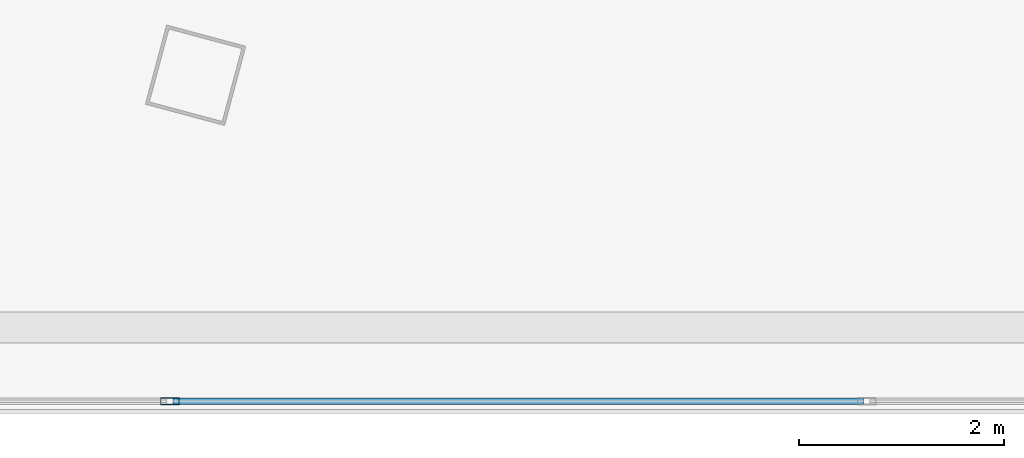
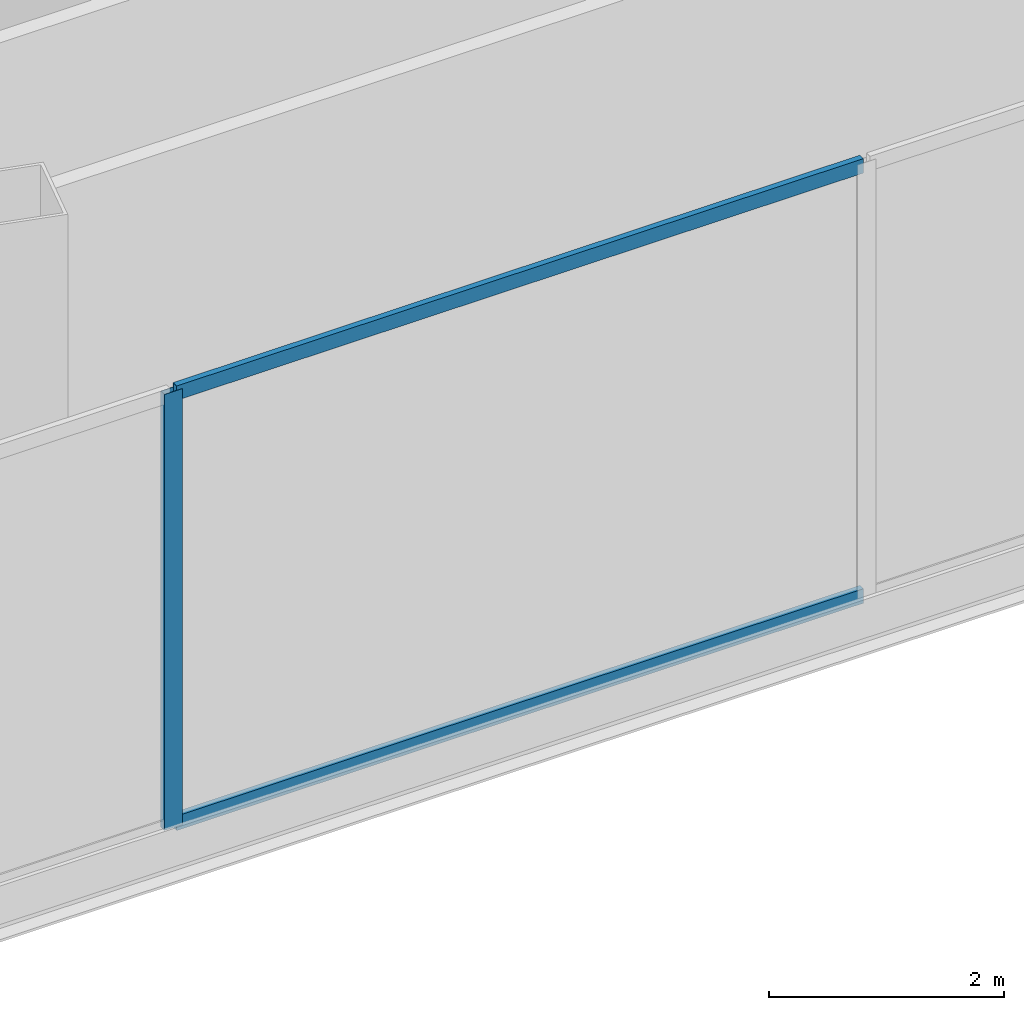
# One storey, part 7 of 27: 3 members, 1 element without a shape of its own.
"""IFC4 building model written with IfcOpenShell, lengths in metres."""

from ifc_helpers import new_model, si_unit, direction, frame, origin, origin_2d, place, context, subcontext, project, spatial, hollow_rectangle, extrude, source, transform, mapped, material, layer, layer_set, material_profile, profile_set, type_object, element, aggregate, save


model = new_model("IFC4")

# Units and contexts
model_context = context("Model", 3, precision=1e-05, world=origin(), true_north=direction((0.0, 1.0)))
body_context = subcontext(model_context, "Body", "Model", "MODEL_VIEW")
ifc_project = project(units=[si_unit("LENGTHUNIT", "METRE"), si_unit("AREAUNIT", "SQUARE_METRE"), si_unit("VOLUMEUNIT", "CUBIC_METRE"), si_unit("PLANEANGLEUNIT", "RADIAN"), si_unit("MASSUNIT", "GRAM", prefix="KILO"), si_unit("THERMODYNAMICTEMPERATUREUNIT", "KELVIN"), si_unit("POWERUNIT", "WATT")], contexts=[model_context])

# Site, building, storey
site_placement = place(None, origin())
site = spatial("IfcSite", under=ifc_project, at=site_placement, CompositionType="ELEMENT")
building_placement = place(site_placement, origin())
building = spatial("IfcBuilding", under=site, at=building_placement, Name="Yunzhuo Pagoda Commons", CompositionType="ELEMENT")
storey_placement = place(building_placement, frame((0.0, 0.0, 9.60009765625)))
storey = spatial("IfcBuildingStorey", under=building, at=storey_placement, Name="L03", CompositionType="ELEMENT", Elevation=9.60009765625)

# Curtain wall, members
ifc_material = material(Name="Anodized aluminium 6063-T6", Category="aluminium")
ifc_layer = layer(ifc_material, 0.179931640625)
ifc_layer_set = layer_set([ifc_layer], Name="Anodized aluminium 6063-T6")
curtain_wall_type = type_object("IfcCurtainWallType", Name="CW-POD Waterfront Podium Curtain Wall", PredefinedType="NOTDEFINED", material=ifc_layer_set)
curtain_wall_placement = place(storey_placement, origin())
curtain_wall = element("IfcCurtainWall", 1, at=curtain_wall_placement, inside=storey, type_object=curtain_wall_type, Name="L03 curtain wall CW-L03-S3", PredefinedType="NOTDEFINED")
ifc_material_profile_1 = material_profile(ifc_material, hollow_rectangle(XDim=0.06494140625, YDim=0.179931640625, WallThickness=0.00390625, at=origin_2d()), Name="Anodized aluminium 6063-T6")
ifc_profile_set_1 = profile_set([ifc_material_profile_1], Name="Anodized aluminium 6063-T6")
member_type_1 = type_object("IfcMemberType", Name="CW-POD-M Mullion RHS 180x65x4", PredefinedType="MULLION", material=ifc_profile_set_1)
shared_shape_1 = source(origin(), body_context, "Body", "SweptSolid", [
    extrude(hollow_rectangle(XDim=0.06494140625, YDim=0.179931640625, WallThickness=0.00390625, at=origin_2d()), origin(), (0.0, 0.0, 1.0), 4.52001953125),
])
member_1_placement = place(storey_placement, frame((41.199951171875, 6.080078125, 0.0), z_axis=(0.0, 0.0, 1.0), x_axis=(0.0, 1.0, 0.0)))
member_1 = element("IfcMember", 2, at=member_1_placement, type_object=member_type_1, Name="CW mullion 2", PredefinedType="MULLION", context=body_context, shape_type="MappedRepresentation", body=[
    mapped(shared_shape_1, transform((0.0, 0.0, 0.0), scale=1.0)),
])
ifc_material_profile_2 = material_profile(ifc_material, hollow_rectangle(XDim=0.06005859375, YDim=0.14990234375, WallThickness=0.00390625, at=origin_2d()), Name="Anodized aluminium 6063-T6")
ifc_profile_set_2 = profile_set([ifc_material_profile_2], Name="Anodized aluminium 6063-T6")
member_type_2 = type_object("IfcMemberType", Name="CW-POD-T Transom RHS 150x60x4", PredefinedType="USERDEFINED", material=ifc_profile_set_2)
shared_shape_2 = source(origin(), body_context, "Body", "SweptSolid", [
    extrude(hollow_rectangle(XDim=0.06005859375, YDim=0.14990234375, WallThickness=0.00390625, at=origin_2d()), origin(), (0.0, 0.0, 1.0), 6.735107421875),
])
member_2_placement = place(storey_placement, frame((41.232421875, 6.080078125, 0.02978515625), z_axis=(1.0, 0.0, 0.0), x_axis=(0.0, 1.0, 0.0)))
member_2 = element("IfcMember", 3, at=member_2_placement, type_object=member_type_2, Name="CW transom 2.1", ObjectType="TRANSOM", PredefinedType="USERDEFINED", context=body_context, shape_type="MappedRepresentation", body=[
    mapped(shared_shape_2, transform((0.0, 0.0, 0.0), scale=1.0)),
])
member_3_placement = place(storey_placement, frame((41.232421875, 6.080078125, 4.489990234375), z_axis=(1.0, 0.0, 0.0), x_axis=(0.0, 1.0, 0.0)))
member_3 = element("IfcMember", 4, at=member_3_placement, type_object=member_type_2, Name="CW transom 2.2", ObjectType="TRANSOM", PredefinedType="USERDEFINED", context=body_context, shape_type="MappedRepresentation", body=[
    mapped(shared_shape_2, transform((0.0, 0.0, 0.0), scale=1.0)),
])
aggregate(curtain_wall, [member_1, member_2, member_3])

save(model, "model.ifc")
